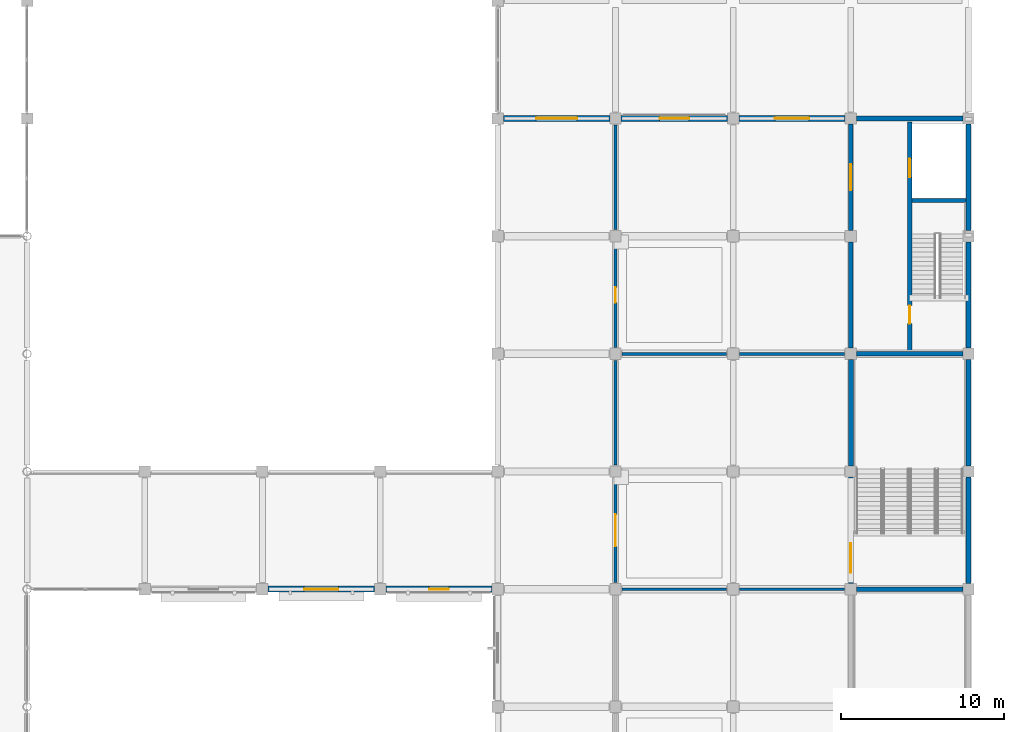
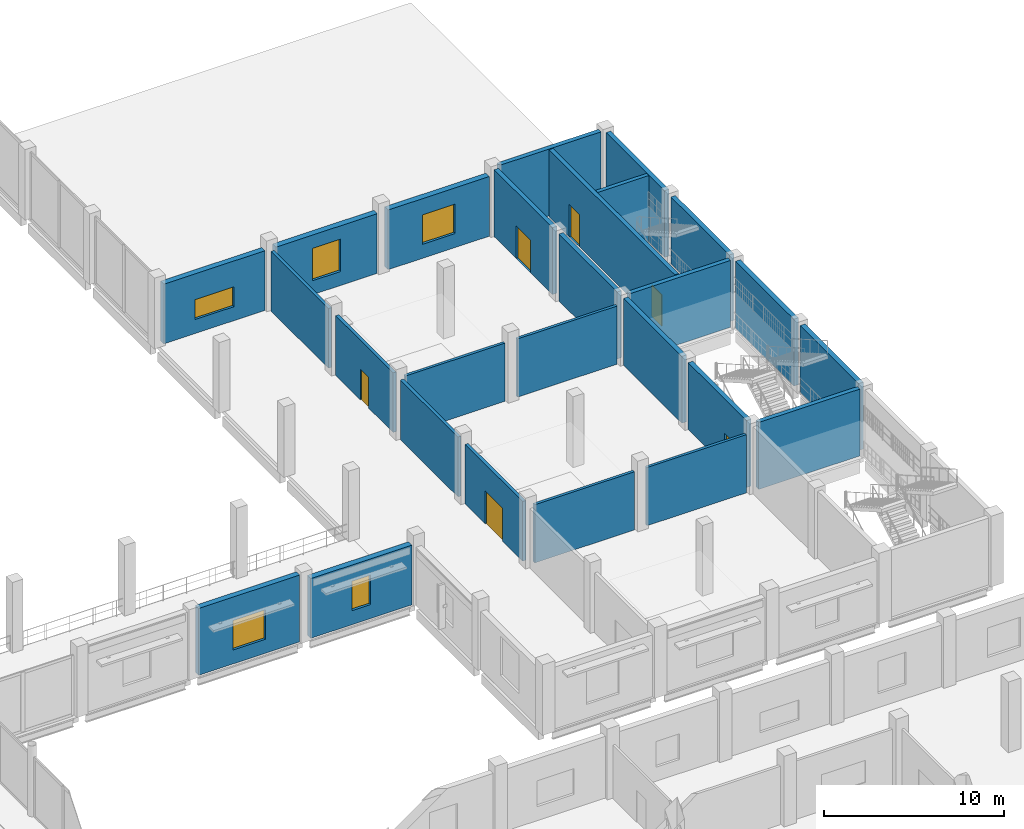
# One storey, part 71 of 99: 26 walls, 6 doors, 5 windows, 11 openings.
"""IFC4 building model written with IfcOpenShell, lengths in metres."""

from ifc_helpers import new_model, si_unit, direction, frame, frame_2d, origin, place, context, subcontext, project, spatial, rectangle, extrude, material, layer, layer_set, type_object, element, fill, save


model = new_model("IFC4")

# Units and contexts
model_context = context("Model", 3, precision=1e-05, world=origin(), true_north=direction((0.0, 1.0)))
body_context = subcontext(model_context, "Body", "Model", "MODEL_VIEW")
ifc_project = project(units=[si_unit("LENGTHUNIT", "METRE"), si_unit("AREAUNIT", "SQUARE_METRE"), si_unit("VOLUMEUNIT", "CUBIC_METRE"), si_unit("PLANEANGLEUNIT", "RADIAN"), si_unit("MASSUNIT", "GRAM", prefix="KILO")], contexts=[model_context])

# Site, building, storey
site_placement = place(None, origin())
site = spatial("IfcSite", under=ifc_project, at=site_placement, CompositionType="ELEMENT")
building_placement = place(site_placement, origin())
building = spatial("IfcBuilding", under=site, at=building_placement, Name="Vesperath Aquatics Centre", CompositionType="ELEMENT")
storey_placement = place(building_placement, frame((0.0, 0.0, 5.39990234375)))
storey = spatial("IfcBuildingStorey", under=building, at=storey_placement, Name="L01", CompositionType="ELEMENT", Elevation=5.39990234375)

# Wall, opening, window
ifc_material_1 = material(Name="Red-terracotta brick insulated cavity wall", Category="masonry")
ifc_layer_1 = layer(ifc_material_1, 0.3798828125)
ifc_layer_set_1 = layer_set([ifc_layer_1], Name="Red-terracotta brick insulated cavity wall")
wall_type_1 = type_object("IfcWallType", Name="WL-EW02", PredefinedType="SOLIDWALL", material=ifc_layer_set_1)
wall_1_placement = place(storey_placement, frame((137.14990234375, 64.800048828125, 0.0), z_axis=(0.0, 0.0, 1.0), x_axis=(1.0, 0.0, 0.0)))
wall_1 = element("IfcWall", 1, at=wall_1_placement, inside=storey, type_object=wall_type_1, Name="Exterior Wall EW02 L01_S_19_09", PredefinedType="SOLIDWALL", context=body_context, shape_type="SweptSolid", body=[
    extrude(rectangle(XDim=6.5, YDim=0.3798828125, at=frame_2d((3.25, 0.0))), origin(), (0.0, 0.0, 1.0), 4.052001953125),
])
opening_1_placement = place(wall_1_placement, frame((2.64990234375, 0.0, 0.949951171875)))
opening_1 = element("IfcOpeningElement", 2, at=opening_1_placement, cuts=wall_1, Name="Opening W09", PredefinedType="OPENING", context=body_context, shape_type="SweptSolid", body=[
    extrude(rectangle(XDim=1.199951171875, YDim=2.0, at=frame_2d((0.60009765625, 1.0))), frame((0.0, 0.204833984375, 0.0), z_axis=(0.0, -1.0, 0.0), x_axis=(1.0, 0.0, 0.0)), (0.0, 0.0, 1.0), 0.40966796875),
])
ifc_material_2 = material(Name="Thermally broken aluminium triple-glazed window", Category="aluminium")
window_type_1 = type_object("IfcWindowType", Name="WN-W09", PartitioningType="SINGLE_PANEL", PredefinedType="WINDOW", material=ifc_material_2)
window_1_placement = place(opening_1_placement, origin())
window_1 = element("IfcWindow", 3, at=window_1_placement, inside=storey, type_object=window_type_1, Name="Deep-Reveal Casement Window W09 L01_S_19_09", OverallHeight=2.0, OverallWidth=1.199951171875, PartitioningType="SINGLE_PANEL", PredefinedType="WINDOW", context=body_context, shape_type="SweptSolid", body=[
    extrude(rectangle(XDim=1.199951171875, YDim=2.0, at=frame_2d((0.60009765625, 1.0))), frame((0.0, 0.030029296875, 0.0), z_axis=(0.0, -1.0, 0.0), x_axis=(1.0, 0.0, 0.0)), (0.0, 0.0, 1.0), 0.06005859375),
])
fill(opening_1, window_1)

wall_2_placement = place(storey_placement, frame((151.550048828125, 93.60009765625, 0.0), z_axis=(0.0, 0.0, 1.0), x_axis=(1.0, 0.0, 0.0)))
wall_2 = element("IfcWall", 4, at=wall_2_placement, inside=storey, type_object=wall_type_1, Name="Exterior Wall EW02 L01_N_21_13", PredefinedType="SOLIDWALL", context=body_context, shape_type="SweptSolid", body=[
    extrude(rectangle(XDim=6.5, YDim=0.3798828125, at=frame_2d((3.25, 0.0))), origin(), (0.0, 0.0, 1.0), 4.052001953125),
])
opening_2_placement = place(wall_2_placement, frame((2.35009765625, 0.0, 0.949951171875)))
opening_2 = element("IfcOpeningElement", 5, at=opening_2_placement, cuts=wall_2, Name="Opening W03", PredefinedType="OPENING", context=body_context, shape_type="SweptSolid", body=[
    extrude(rectangle(XDim=1.800048828125, YDim=2.199951171875, at=frame_2d((0.89990234375, 1.10009765625))), frame((0.0, 0.204833984375, 0.0), z_axis=(0.0, -1.0, 0.0), x_axis=(1.0, 0.0, 0.0)), (0.0, 0.0, 1.0), 0.40966796875),
])
window_type_2 = type_object("IfcWindowType", Name="WN-W03", PartitioningType="SINGLE_PANEL", PredefinedType="WINDOW", material=ifc_material_2)
window_2_placement = place(opening_2_placement, origin())
window_2 = element("IfcWindow", 6, at=window_2_placement, inside=storey, type_object=window_type_2, Name="Deep-Reveal Casement Window W03 L01_N_21_13", OverallHeight=2.199951171875, OverallWidth=1.800048828125, PartitioningType="SINGLE_PANEL", PredefinedType="WINDOW", context=body_context, shape_type="SweptSolid", body=[
    extrude(rectangle(XDim=1.800048828125, YDim=2.199951171875, at=frame_2d((0.89990234375, 1.10009765625))), frame((0.0, 0.030029296875, 0.0), z_axis=(0.0, -1.0, 0.0), x_axis=(1.0, 0.0, 0.0)), (0.0, 0.0, 1.0), 0.06005859375),
])
fill(opening_2, window_2)

wall_3_placement = place(storey_placement, frame((158.75, 93.60009765625, 0.0), z_axis=(0.0, 0.0, 1.0), x_axis=(1.0, 0.0, 0.0)))
wall_3 = element("IfcWall", 7, at=wall_3_placement, inside=storey, type_object=wall_type_1, Name="Exterior Wall EW02 L01_N_22_13", PredefinedType="SOLIDWALL", context=body_context, shape_type="SweptSolid", body=[
    extrude(rectangle(XDim=6.5, YDim=0.3798828125, at=frame_2d((3.25, 0.0))), origin(), (0.0, 0.0, 1.0), 4.052001953125),
])
opening_3_placement = place(wall_3_placement, frame((2.199951171875, 0.0, 0.949951171875)))
opening_3 = element("IfcOpeningElement", 8, at=opening_3_placement, cuts=wall_3, Name="Opening W06", PredefinedType="OPENING", context=body_context, shape_type="SweptSolid", body=[
    extrude(rectangle(XDim=2.10009765625, YDim=2.0, at=frame_2d((1.050048828125, 1.0))), frame((0.0, 0.204833984375, 0.0), z_axis=(0.0, -1.0, 0.0), x_axis=(1.0, 0.0, 0.0)), (0.0, 0.0, 1.0), 0.40966796875),
])
window_type_3 = type_object("IfcWindowType", Name="WN-W06", PartitioningType="SINGLE_PANEL", PredefinedType="WINDOW", material=ifc_material_2)
window_3_placement = place(opening_3_placement, origin())
window_3 = element("IfcWindow", 9, at=window_3_placement, inside=storey, type_object=window_type_3, Name="Deep-Reveal Casement Window W06 L01_N_22_13", OverallHeight=2.0, OverallWidth=2.10009765625, PartitioningType="SINGLE_PANEL", PredefinedType="WINDOW", context=body_context, shape_type="SweptSolid", body=[
    extrude(rectangle(XDim=2.10009765625, YDim=2.0, at=frame_2d((1.050048828125, 1.0))), frame((0.0, 0.030029296875, 0.0), z_axis=(0.0, -1.0, 0.0), x_axis=(1.0, 0.0, 0.0)), (0.0, 0.0, 1.0), 0.06005859375),
])
fill(opening_3, window_3)

ifc_material_3 = material(Name="Glazed majolica and brick insulated cavity wall", Category="masonry")
ifc_layer_2 = layer(ifc_material_3, 0.360107421875)
ifc_layer_set_2 = layer_set([ifc_layer_2], Name="Glazed majolica and brick insulated cavity wall")
wall_type_2 = type_object("IfcWallType", Name="WL-EW03", PredefinedType="SOLIDWALL", material=ifc_layer_set_2)
wall_4_placement = place(storey_placement, frame((129.949951171875, 64.800048828125, 0.0), z_axis=(0.0, 0.0, 1.0), x_axis=(1.0, 0.0, 0.0)))
wall_4 = element("IfcWall", 10, at=wall_4_placement, inside=storey, type_object=wall_type_2, Name="Exterior Wall EW03 L01_S_18_09", PredefinedType="SOLIDWALL", context=body_context, shape_type="SweptSolid", body=[
    extrude(rectangle(XDim=6.5, YDim=0.360107421875, at=frame_2d((3.25, 0.0))), origin(), (0.0, 0.0, 1.0), 4.5400390625),
])
opening_4_placement = place(wall_4_placement, frame((2.199951171875, 0.0, 0.949951171875)))
opening_4 = element("IfcOpeningElement", 11, at=opening_4_placement, cuts=wall_4, Name="Opening W06", PredefinedType="OPENING", context=body_context, shape_type="SweptSolid", body=[
    extrude(rectangle(XDim=2.10009765625, YDim=2.0, at=frame_2d((1.050048828125, 1.0))), frame((0.0, 0.19482421875, 0.0), z_axis=(0.0, -1.0, 0.0), x_axis=(1.0, 0.0, 0.0)), (0.0, 0.0, 1.0), 0.389892578125),
])
window_4_placement = place(opening_4_placement, origin())
window_4 = element("IfcWindow", 12, at=window_4_placement, inside=storey, type_object=window_type_3, Name="Deep-Reveal Casement Window W06 L01_S_18_09", OverallHeight=2.0, OverallWidth=2.10009765625, PartitioningType="SINGLE_PANEL", PredefinedType="WINDOW", context=body_context, shape_type="SweptSolid", body=[
    extrude(rectangle(XDim=2.10009765625, YDim=2.0, at=frame_2d((1.050048828125, 1.0))), frame((0.0, 0.030029296875, 0.0), z_axis=(0.0, -1.0, 0.0), x_axis=(1.0, 0.0, 0.0)), (0.0, 0.0, 1.0), 0.06005859375),
])
fill(opening_4, window_4)

wall_5_placement = place(storey_placement, frame((144.35009765625, 93.60009765625, 0.0), z_axis=(0.0, 0.0, 1.0), x_axis=(1.0, 0.0, 0.0)))
wall_5 = element("IfcWall", 13, at=wall_5_placement, inside=storey, type_object=wall_type_2, Name="Exterior Wall EW03 L01_N_20_13", PredefinedType="SOLIDWALL", context=body_context, shape_type="SweptSolid", body=[
    extrude(rectangle(XDim=6.5, YDim=0.360107421875, at=frame_2d((3.25, 0.0))), origin(), (0.0, 0.0, 1.0), 4.052001953125),
])
opening_5_placement = place(wall_5_placement, frame((2.0, 0.0, 0.949951171875)))
opening_5 = element("IfcOpeningElement", 14, at=opening_5_placement, cuts=wall_5, Name="Opening W16", PredefinedType="OPENING", context=body_context, shape_type="SweptSolid", body=[
    extrude(rectangle(XDim=2.5, YDim=1.35009765625, at=frame_2d((1.25, 0.675048828125))), frame((0.0, 0.19482421875, 0.0), z_axis=(0.0, -1.0, 0.0), x_axis=(1.0, 0.0, 0.0)), (0.0, 0.0, 1.0), 0.389892578125),
])
window_type_4 = type_object("IfcWindowType", Name="WN-W16", PartitioningType="SINGLE_PANEL", PredefinedType="WINDOW", material=ifc_material_2)
window_5_placement = place(opening_5_placement, origin())
window_5 = element("IfcWindow", 15, at=window_5_placement, inside=storey, type_object=window_type_4, Name="Deep-Reveal Casement Window W16 L01_N_20_13", OverallHeight=1.35009765625, OverallWidth=2.5, PartitioningType="SINGLE_PANEL", PredefinedType="WINDOW", context=body_context, shape_type="SweptSolid", body=[
    extrude(rectangle(XDim=2.5, YDim=1.35009765625, at=frame_2d((1.25, 0.675048828125))), frame((0.0, 0.030029296875, 0.0), z_axis=(0.0, -1.0, 0.0), x_axis=(1.0, 0.0, 0.0)), (0.0, 0.0, 1.0), 0.06005859375),
])
fill(opening_5, window_5)

# Wall, opening, door
ifc_material_4 = material(Name="Wet-village masonry block wall", Category="masonry")
ifc_layer_3 = layer(ifc_material_4, 0.199951171875)
ifc_layer_set_3 = layer_set([ifc_layer_3], Name="Wet-village masonry block wall")
wall_type_3 = type_object("IfcWallType", Name="WL-FW03", PredefinedType="SOLIDWALL", material=ifc_layer_set_3)
wall_6_placement = place(storey_placement, frame((151.199951171875, 65.199951171875, 0.0), z_axis=(0.0, 0.0, 1.0), x_axis=(0.0, 1.0, 0.0)))
wall_6 = element("IfcWall", 16, at=wall_6_placement, inside=storey, type_object=wall_type_3, Name="Interior Partition FW03 L01_TEAM_F-W1", PredefinedType="SOLIDWALL", context=body_context, shape_type="SweptSolid", body=[
    extrude(rectangle(XDim=6.400146484375, YDim=0.199951171875, at=frame_2d((3.2001953125, 0.0))), origin(), (0.0, 0.0, 1.0), 4.052001953125),
])
opening_6_placement = place(wall_6_placement, frame((2.22509765625, 0.0, 0.0)))
opening_6 = element("IfcOpeningElement", 17, at=opening_6_placement, cuts=wall_6, Name="Opening D16", PredefinedType="OPENING", context=body_context, shape_type="SweptSolid", body=[
    extrude(rectangle(XDim=1.949951171875, YDim=2.25, at=frame_2d((0.97509765625, 1.125))), frame((0.0, 0.11474609375, 0.0), z_axis=(0.0, -1.0, 0.0), x_axis=(1.0, 0.0, 0.0)), (0.0, 0.0, 1.0), 0.229736328125),
])
ifc_material_5 = material(Name="Mixed-zone media double door", Category="steel")
door_type_1 = type_object("IfcDoorType", Name="DR-RM08", OperationType="DOUBLE_SWING_LEFT", PredefinedType="DOOR", material=ifc_material_5)
door_1_placement = place(opening_6_placement, frame((1.949951171875, 0.0, 0.0), z_axis=(0.0, 0.0, 1.0), x_axis=(-1.0, 0.0, 0.0)))
door_1 = element("IfcDoor", 18, at=door_1_placement, inside=storey, type_object=door_type_1, Name="Visiting Team Female Changing Room Door D16", OperationType="DOUBLE_SWING_LEFT", OverallHeight=2.25, OverallWidth=1.949951171875, PredefinedType="DOOR", context=body_context, shape_type="SweptSolid", body=[
    extrude(rectangle(XDim=1.949951171875, YDim=2.25, at=frame_2d((0.97509765625, 1.125))), frame((0.0, 0.02490234375, 0.0), z_axis=(0.0, -1.0, 0.0), x_axis=(1.0, 0.0, 0.0)), (0.0, 0.0, 1.0), 0.050048828125),
])
fill(opening_6, door_1)

# Wall
wall_7_placement = place(storey_placement, frame((151.199951171875, 72.39990234375, 0.0), z_axis=(0.0, 0.0, 1.0), x_axis=(0.0, 1.0, 0.0)))
element("IfcWall", 19, at=wall_7_placement, inside=storey, type_object=wall_type_3, Name="Interior Partition FW03 L01_TEAM_F-W2", PredefinedType="SOLIDWALL", context=body_context, shape_type="SweptSolid", body=[
    extrude(rectangle(XDim=6.400146484375, YDim=0.199951171875, at=frame_2d((3.2001953125, 0.0))), origin(), (0.0, 0.0, 1.0), 4.052001953125),
])

# Wall, opening, door
wall_8_placement = place(storey_placement, frame((151.199951171875, 79.60009765625, 0.0), z_axis=(0.0, 0.0, 1.0), x_axis=(0.0, 1.0, 0.0)))
wall_8 = element("IfcWall", 20, at=wall_8_placement, inside=storey, type_object=wall_type_3, Name="Interior Partition FW03 L01_SPEC_FWC-W1", PredefinedType="SOLIDWALL", context=body_context, shape_type="SweptSolid", body=[
    extrude(rectangle(XDim=6.39990234375, YDim=0.199951171875, at=frame_2d((3.199951171875, 0.0))), origin(), (0.0, 0.0, 1.0), 4.052001953125),
])
opening_7_placement = place(wall_8_placement, frame((2.739990234375, 0.0, 0.0)))
opening_7 = element("IfcOpeningElement", 21, at=opening_7_placement, cuts=wall_8, Name="Opening D08", PredefinedType="OPENING", context=body_context, shape_type="SweptSolid", body=[
    extrude(rectangle(XDim=0.919921875, YDim=2.10009765625, at=frame_2d((0.4599609375, 1.050048828125))), frame((0.0, 0.11474609375, 0.0), z_axis=(0.0, -1.0, 0.0), x_axis=(1.0, 0.0, 0.0)), (0.0, 0.0, 1.0), 0.229736328125),
])
ifc_material_6 = material(Name="Moisture-resistant HPL washroom door", Category="wood")
door_type_2 = type_object("IfcDoorType", Name="DR-WC03", OperationType="NOTDEFINED", PredefinedType="DOOR", material=ifc_material_6)
door_2_placement = place(opening_7_placement, frame((0.919921875, 0.0, 0.0), z_axis=(0.0, 0.0, 1.0), x_axis=(-1.0, 0.0, 0.0)))
door_2 = element("IfcDoor", 22, at=door_2_placement, inside=storey, type_object=door_type_2, Name="Spectator Female WC L01 Door D08", OperationType="SINGLE_SWING_LEFT", OverallHeight=2.10009765625, OverallWidth=0.919921875, PredefinedType="DOOR", context=body_context, shape_type="SweptSolid", body=[
    extrude(rectangle(XDim=0.919921875, YDim=2.10009765625, at=frame_2d((0.4599609375, 1.050048828125))), frame((0.0, 0.02490234375, 0.0), z_axis=(0.0, -1.0, 0.0), x_axis=(1.0, 0.0, 0.0)), (0.0, 0.0, 1.0), 0.050048828125),
])
fill(opening_7, door_2)

# Walls
wall_9_placement = place(storey_placement, frame((151.199951171875, 86.800048828125, 0.0), z_axis=(0.0, 0.0, 1.0), x_axis=(0.0, 1.0, 0.0)))
element("IfcWall", 23, at=wall_9_placement, inside=storey, type_object=wall_type_3, Name="Interior Partition FW03 L01_SPEC_FWC-W2", PredefinedType="SOLIDWALL", context=body_context, shape_type="SweptSolid", body=[
    extrude(rectangle(XDim=6.39990234375, YDim=0.199951171875, at=frame_2d((3.199951171875, 0.0))), origin(), (0.0, 0.0, 1.0), 4.052001953125),
])
ifc_material_7 = material(Name="Moisture-resistant tiled wet partition", Category="gypsum")
ifc_layer_4 = layer(ifc_material_7, 0.175048828125)
ifc_layer_set_4 = layer_set([ifc_layer_4], Name="Moisture-resistant tiled wet partition")
wall_type_4 = type_object("IfcWallType", Name="WL-IW02", PredefinedType="PARTITIONING", material=ifc_layer_set_4)
for number, where, z_axis, x_axis, name in (
    (24, (151.60009765625, 64.800048828125, 0.0), (0.0, 0.0, 1.0), (1.0, 0.0, 0.0), "Interior Partition IW02 L01_TEAM_M-N1"),
    (25, (158.800048828125, 64.800048828125, 0.0), (0.0, 0.0, 1.0), (1.0, 0.0, 0.0), "Interior Partition IW02 L01_TEAM_M-N2"),
    (26, (151.60009765625, 79.199951171875, 0.0), (0.0, 0.0, 1.0), (1.0, 0.0, 0.0), "Interior Partition IW02 L01_TEAM_F-N1"),
    (27, (158.800048828125, 79.199951171875, 0.0), (0.0, 0.0, 1.0), (1.0, 0.0, 0.0), "Interior Partition IW02 L01_TEAM_F-N2"),
):
    element("IfcWall", number, at=place(storey_placement, frame(where, z_axis=z_axis, x_axis=x_axis)), inside=storey, type_object=wall_type_4, Name=name, PredefinedType="PARTITIONING", context=body_context, shape_type="SweptSolid", body=[
        extrude(rectangle(XDim=6.39990234375, YDim=0.175048828125, at=frame_2d((3.199951171875, 0.0))), origin(), (0.0, 0.0, 1.0), 3.9521484375),
    ])

# Wall, opening, door
ifc_material_8 = material(Name="Concrete C40", Category="concrete")
ifc_layer_5 = layer(ifc_material_8, 0.300048828125)
ifc_layer_set_5 = layer_set([ifc_layer_5], Name="Concrete C40")
wall_type_5 = type_object("IfcWallType", Name="WL-SW01", PredefinedType="SHEAR", material=ifc_layer_set_5)
wall_10_placement = place(storey_placement, frame((165.60009765625, 65.14990234375, 0.0), z_axis=(0.0, 0.0, 1.0), x_axis=(0.0, 1.0, 0.0)))
wall_10 = element("IfcWall", 28, at=wall_10_placement, inside=storey, type_object=wall_type_5, Name="Core C13 West-1 Shear Wall SW01 L01", PredefinedType="SHEAR", context=body_context, shape_type="SweptSolid", body=[
    extrude(rectangle(XDim=6.5, YDim=0.300048828125, at=frame_2d((3.25, 0.0))), origin(), (0.0, 0.0, 1.0), 4.5400390625),
])
opening_8_placement = place(wall_10_placement, frame((0.64990234375, 0.0, 0.0)))
opening_8 = element("IfcOpeningElement", 29, at=opening_8_placement, cuts=wall_10, Name="Opening D03", PredefinedType="OPENING", context=body_context, shape_type="SweptSolid", body=[
    extrude(rectangle(XDim=1.800048828125, YDim=2.199951171875, at=frame_2d((0.89990234375, 1.10009765625))), frame((0.0, 0.1650390625, 0.0), z_axis=(0.0, -1.0, 0.0), x_axis=(1.0, 0.0, 0.0)), (0.0, 0.0, 1.0), 0.329833984375),
])
ifc_material_9 = material(Name="Corridor smoke-control double fire door", Category="steel")
door_type_3 = type_object("IfcDoorType", Name="DR-FD03", OperationType="DOUBLE_SWING_LEFT", PredefinedType="DOOR", material=ifc_material_9)
door_3_placement = place(opening_8_placement, frame((1.800048828125, 0.0, 0.0), z_axis=(0.0, 0.0, 1.0), x_axis=(-1.0, 0.0, 0.0)))
door_3 = element("IfcDoor", 30, at=door_3_placement, inside=storey, type_object=door_type_3, Name="Stair ST13 Fire Door D03 L01", OperationType="DOUBLE_SWING_LEFT", OverallHeight=2.199951171875, OverallWidth=1.800048828125, PredefinedType="DOOR", context=body_context, shape_type="SweptSolid", body=[
    extrude(rectangle(XDim=1.800048828125, YDim=2.199951171875, at=frame_2d((0.89990234375, 1.10009765625))), frame((0.0, 0.02490234375, 0.0), z_axis=(0.0, -1.0, 0.0), x_axis=(1.0, 0.0, 0.0)), (0.0, 0.0, 1.0), 0.050048828125),
])
fill(opening_8, door_3)

# Walls
wall_11_placement = place(storey_placement, frame((165.60009765625, 72.35009765625, 0.0), z_axis=(0.0, 0.0, 1.0), x_axis=(0.0, 1.0, 0.0)))
element("IfcWall", 31, at=wall_11_placement, inside=storey, type_object=wall_type_5, Name="Core C13 West-2 Shear Wall SW01 L01", PredefinedType="SHEAR", context=body_context, shape_type="SweptSolid", body=[
    extrude(rectangle(XDim=6.5, YDim=0.300048828125, at=frame_2d((3.25, 0.0))), origin(), (0.0, 0.0, 1.0), 4.5400390625),
])
ifc_layer_6 = layer(ifc_material_8, 0.280029296875)
ifc_layer_set_6 = layer_set([ifc_layer_6], Name="Concrete C40")
wall_type_6 = type_object("IfcWallType", Name="WL-SW02", PredefinedType="SHEAR", material=ifc_layer_set_6)
for number, where, z_axis, x_axis, name in (
    (32, (165.949951171875, 79.199951171875, 0.0), (0.0, 0.0, 1.0), (1.0, 0.0, 0.0), "Core C4 South Shear Wall SW02 L01"),
    (33, (165.60009765625, 79.550048828125, 0.0), (0.0, 0.0, 1.0), (0.0, 1.0, 0.0), "Core C4 West-1 Shear Wall SW02 L01"),
):
    element("IfcWall", number, at=place(storey_placement, frame(where, z_axis=z_axis, x_axis=x_axis)), inside=storey, type_object=wall_type_6, Name=name, PredefinedType="SHEAR", context=body_context, shape_type="SweptSolid", body=[
        extrude(rectangle(XDim=6.5, YDim=0.280029296875, at=frame_2d((3.25, 0.0))), origin(), (0.0, 0.0, 1.0), 4.5400390625),
    ])

# Wall, opening, door
wall_12_placement = place(storey_placement, frame((165.60009765625, 86.75, 0.0), z_axis=(0.0, 0.0, 1.0), x_axis=(0.0, 1.0, 0.0)))
wall_12 = element("IfcWall", 34, at=wall_12_placement, inside=storey, type_object=wall_type_6, Name="Core C4 West-2 Shear Wall SW02 L01", PredefinedType="SHEAR", context=body_context, shape_type="SweptSolid", body=[
    extrude(rectangle(XDim=6.5, YDim=0.280029296875, at=frame_2d((3.25, 0.0))), origin(), (0.0, 0.0, 1.0), 4.5400390625),
])
opening_9_placement = place(wall_12_placement, frame((2.449951171875, 0.0, 0.0)))
opening_9 = element("IfcOpeningElement", 35, at=opening_9_placement, cuts=wall_12, Name="Opening D02", PredefinedType="OPENING", context=body_context, shape_type="SweptSolid", body=[
    extrude(rectangle(XDim=1.60009765625, YDim=2.199951171875, at=frame_2d((0.800048828125, 1.10009765625))), frame((0.0, 0.15478515625, 0.0), z_axis=(0.0, -1.0, 0.0), x_axis=(1.0, 0.0, 0.0)), (0.0, 0.0, 1.0), 0.309814453125),
])
ifc_material_10 = material(Name="Glazed fire-rated lobby double door", Category="steel")
door_type_4 = type_object("IfcDoorType", Name="DR-FD02", OperationType="DOUBLE_SWING_LEFT", PredefinedType="DOOR", material=ifc_material_10)
door_4_placement = place(opening_9_placement, origin())
door_4 = element("IfcDoor", 36, at=door_4_placement, inside=storey, type_object=door_type_4, Name="Core C4 Lobby Fire Door D02 L01", OperationType="DOUBLE_SWING_LEFT", OverallHeight=2.199951171875, OverallWidth=1.60009765625, PredefinedType="DOOR", context=body_context, shape_type="SweptSolid", body=[
    extrude(rectangle(XDim=1.60009765625, YDim=2.199951171875, at=frame_2d((0.800048828125, 1.10009765625))), frame((0.0, 0.02490234375, 0.0), z_axis=(0.0, -1.0, 0.0), x_axis=(1.0, 0.0, 0.0)), (0.0, 0.0, 1.0), 0.050048828125),
])
fill(opening_9, door_4)

# Wall
wall_13_placement = place(storey_placement, frame((165.949951171875, 64.800048828125, 0.0), z_axis=(0.0, 0.0, 1.0), x_axis=(1.0, 0.0, 0.0)))
element("IfcWall", 37, at=wall_13_placement, inside=storey, type_object=wall_type_6, Name="Core C12 North Shear Wall SW02 L01", PredefinedType="SHEAR", context=body_context, shape_type="SweptSolid", body=[
    extrude(rectangle(XDim=6.5, YDim=0.280029296875, at=frame_2d((3.25, 0.0))), origin(), (0.0, 0.0, 1.0), 4.5400390625),
])

# Wall, openings, doors
ifc_layer_7 = layer(ifc_material_8, 0.260009765625)
ifc_layer_set_7 = layer_set([ifc_layer_7], Name="Concrete C40")
wall_type_7 = type_object("IfcWallType", Name="WL-SW03", PredefinedType="SHEAR", material=ifc_layer_set_7)
wall_14_placement = place(storey_placement, frame((169.199951171875, 79.39990234375, 0.0), z_axis=(0.0, 0.0, 1.0), x_axis=(0.0, 1.0, 0.0)))
wall_14 = element("IfcWall", 38, at=wall_14_placement, inside=storey, type_object=wall_type_7, Name="Core C4 Spine Shear Wall SW03 L01", PredefinedType="SHEAR", context=body_context, shape_type="SweptSolid", body=[
    extrude(rectangle(XDim=14.0, YDim=0.260009765625, at=frame_2d((7.0, 0.0))), origin(), (0.0, 0.0, 1.0), 4.5400390625),
])
opening_10_placement = place(wall_14_placement, frame((1.64990234375, 0.0, 0.0)))
opening_10 = element("IfcOpeningElement", 39, at=opening_10_placement, cuts=wall_14, Name="Opening D01", PredefinedType="OPENING", context=body_context, shape_type="SweptSolid", body=[
    extrude(rectangle(XDim=1.10009765625, YDim=2.14990234375, at=frame_2d((0.550048828125, 1.074951171875))), frame((0.0, 0.14501953125, 0.0), z_axis=(0.0, -1.0, 0.0), x_axis=(1.0, 0.0, 0.0)), (0.0, 0.0, 1.0), 0.289794921875),
])
opening_11_placement = place(wall_14_placement, frame((10.60009765625, 0.0, 0.0)))
opening_11 = element("IfcOpeningElement", 40, at=opening_11_placement, cuts=wall_14, Name="Opening LD02", PredefinedType="OPENING", context=body_context, shape_type="SweptSolid", body=[
    extrude(rectangle(XDim=1.14990234375, YDim=2.199951171875, at=frame_2d((0.574951171875, 1.10009765625))), frame((0.0, 0.14501953125, 0.0), z_axis=(0.0, -1.0, 0.0), x_axis=(1.0, 0.0, 0.0)), (0.0, 0.0, 1.0), 0.289794921875),
])
ifc_material_11 = material(Name="Steel-faced acoustic fire door", Category="steel")
door_type_5 = type_object("IfcDoorType", Name="DR-FD01", OperationType="NOTDEFINED", PredefinedType="DOOR", material=ifc_material_11)
door_5_placement = place(opening_10_placement, frame((1.10009765625, 0.0, 0.0), z_axis=(0.0, 0.0, 1.0), x_axis=(-1.0, 0.0, 0.0)))
door_5 = element("IfcDoor", 41, at=door_5_placement, inside=storey, type_object=door_type_5, Name="Stair ST4 Fire Door D01 L01", OperationType="SINGLE_SWING_LEFT", OverallHeight=2.14990234375, OverallWidth=1.10009765625, PredefinedType="DOOR", context=body_context, shape_type="SweptSolid", body=[
    extrude(rectangle(XDim=1.10009765625, YDim=2.14990234375, at=frame_2d((0.550048828125, 1.074951171875))), frame((0.0, 0.02490234375, 0.0), z_axis=(0.0, -1.0, 0.0), x_axis=(1.0, 0.0, 0.0)), (0.0, 0.0, 1.0), 0.050048828125),
])
fill(opening_10, door_5)
ifc_material_12 = material(Name="Brushed stainless steel lift landing door", Category="steel")
door_type_6 = type_object("IfcDoorType", Name="DR-LD02", OperationType="SLIDING_TO_RIGHT", PredefinedType="DOOR", material=ifc_material_12)
door_6_placement = place(opening_11_placement, origin())
door_6 = element("IfcDoor", 42, at=door_6_placement, inside=storey, type_object=door_type_6, Name="Lift LFT-P3 Sliding Landing Door LD02 L01", OperationType="SLIDING_TO_RIGHT", OverallHeight=2.199951171875, OverallWidth=1.14990234375, PredefinedType="DOOR", context=body_context, shape_type="SweptSolid", body=[
    extrude(rectangle(XDim=1.14990234375, YDim=2.199951171875, at=frame_2d((0.574951171875, 1.10009765625))), frame((0.0, 0.02490234375, 0.0), z_axis=(0.0, -1.0, 0.0), x_axis=(1.0, 0.0, 0.0)), (0.0, 0.0, 1.0), 0.050048828125),
])
fill(opening_11, door_6)

# Walls
ifc_layer_8 = layer(ifc_material_8, 0.25)
ifc_layer_set_8 = layer_set([ifc_layer_8], Name="Concrete C40")
wall_type_8 = type_object("IfcWallType", Name="WL-SW04", PredefinedType="SHEAR", material=ifc_layer_set_8)
wall_15_placement = place(storey_placement, frame((169.340087890625, 88.580078125, 0.0), z_axis=(0.0, 0.0, 1.0), x_axis=(1.0, 0.0, 0.0)))
element("IfcWall", 43, at=wall_15_placement, inside=storey, type_object=wall_type_8, Name="Core C4 Lift Shaft Wall SW04 L01", PredefinedType="SHEAR", context=body_context, shape_type="SweptSolid", body=[
    extrude(rectangle(XDim=3.2998046875, YDim=0.25, at=frame_2d((1.64990234375, 0.0))), origin(), (0.0, 0.0, 1.0), 4.5400390625),
])
ifc_layer_9 = layer(ifc_material_8, 0.31005859375)
ifc_layer_set_9 = layer_set([ifc_layer_9], Name="Concrete C40")
wall_type_9 = type_object("IfcWallType", Name="WL-SW05", PredefinedType="SHEAR", material=ifc_layer_set_9)
for number, where, z_axis, x_axis, name in (
    (44, (172.800048828125, 65.14990234375, 0.0), (0.0, 0.0, 1.0), (0.0, 1.0, 0.0), "Core C13 East-1 Shear Wall SW05 L01"),
    (45, (172.800048828125, 72.35009765625, 0.0), (0.0, 0.0, 1.0), (0.0, 1.0, 0.0), "Core C13 East-2 Shear Wall SW05 L01"),
):
    element("IfcWall", number, at=place(storey_placement, frame(where, z_axis=z_axis, x_axis=x_axis)), inside=storey, type_object=wall_type_9, Name=name, PredefinedType="SHEAR", context=body_context, shape_type="SweptSolid", body=[
        extrude(rectangle(XDim=6.5, YDim=0.31005859375, at=frame_2d((3.25, 0.0))), origin(), (0.0, 0.0, 1.0), 4.5400390625),
    ])
ifc_layer_10 = layer(ifc_material_8, 0.2900390625)
ifc_layer_set_10 = layer_set([ifc_layer_10], Name="Concrete C40")
wall_type_10 = type_object("IfcWallType", Name="WL-SW06", PredefinedType="SHEAR", material=ifc_layer_set_10)
for number, where, z_axis, x_axis, name in (
    (46, (165.949951171875, 93.60009765625, 0.0), (0.0, 0.0, 1.0), (1.0, 0.0, 0.0), "Core C4 North Shear Wall SW06 L01"),
    (47, (172.800048828125, 79.550048828125, 0.0), (0.0, 0.0, 1.0), (0.0, 1.0, 0.0), "Core C4 East-1 Shear Wall SW06 L01"),
    (48, (172.800048828125, 86.75, 0.0), (0.0, 0.0, 1.0), (0.0, 1.0, 0.0), "Core C4 East-2 Shear Wall SW06 L01"),
):
    element("IfcWall", number, at=place(storey_placement, frame(where, z_axis=z_axis, x_axis=x_axis)), inside=storey, type_object=wall_type_10, Name=name, PredefinedType="SHEAR", context=body_context, shape_type="SweptSolid", body=[
        extrude(rectangle(XDim=6.5, YDim=0.2900390625, at=frame_2d((3.25, 0.0))), origin(), (0.0, 0.0, 1.0), 4.5400390625),
    ])

save(model, "model.ifc")
